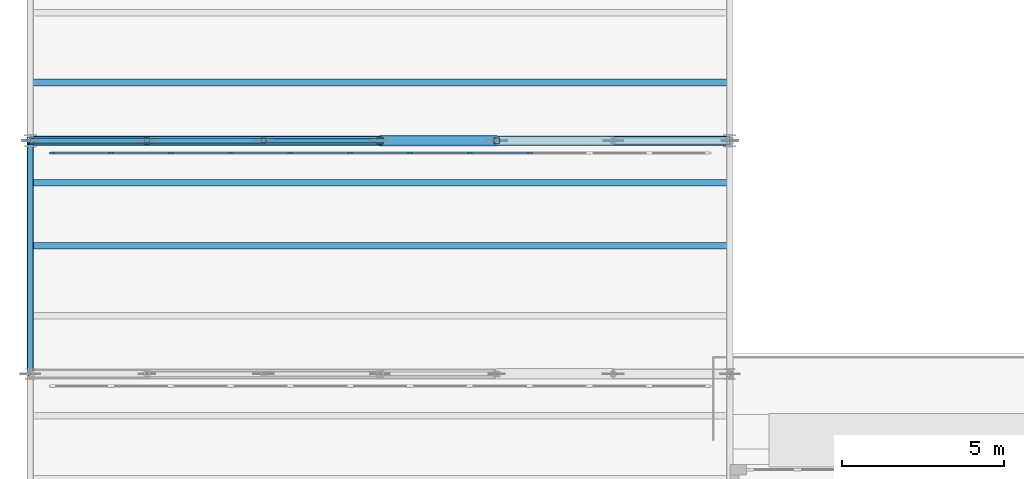
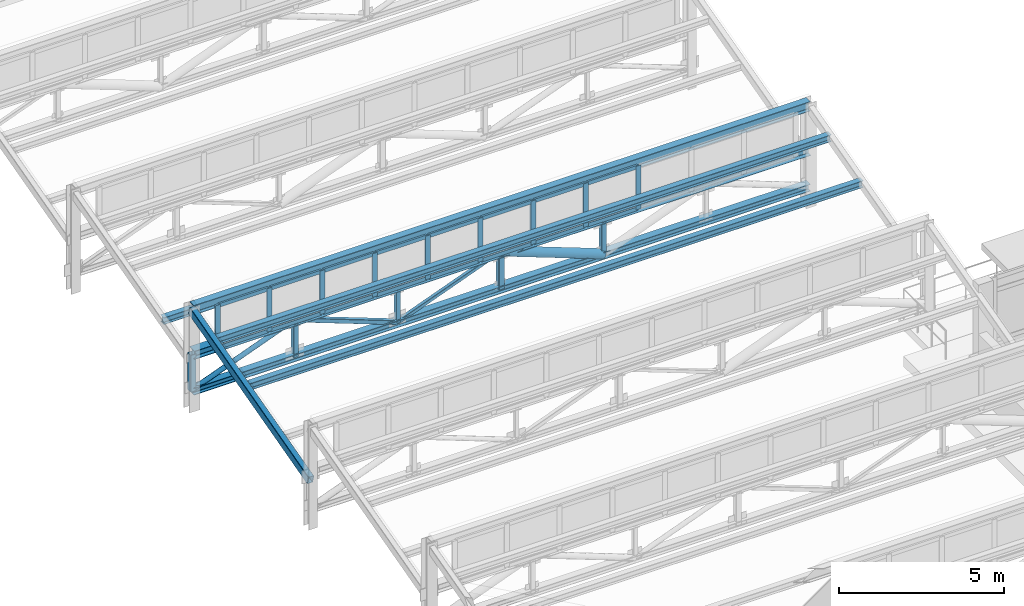
# One storey, part 9 of 55: 36 members, 5 beams, 1 element without a shape of its own.
"""IFC4 building model written with IfcOpenShell, lengths in metres."""

from ifc_helpers import new_model, si_unit, direction, frame, origin, origin_2d, place, context, subcontext, project, spatial, rectangle, hollow_rectangle, hollow_circle, i_section, extrude, material, layer, layer_set, material_profile, profile_set, type_object, element, aggregate, save


model = new_model("IFC4")

# Units and contexts
model_context = context("Model", 3, precision=1e-05, world=origin(), true_north=direction((0.0, 1.0)))
body_context = subcontext(model_context, "Body", "Model", "MODEL_VIEW")
ifc_project = project(units=[si_unit("LENGTHUNIT", "METRE"), si_unit("AREAUNIT", "SQUARE_METRE"), si_unit("VOLUMEUNIT", "CUBIC_METRE"), si_unit("PLANEANGLEUNIT", "RADIAN"), si_unit("MASSUNIT", "GRAM", prefix="KILO")], contexts=[model_context])

# Site, building, storey
site_placement = place(None, origin())
site = spatial("IfcSite", under=ifc_project, at=site_placement, CompositionType="ELEMENT")
building_placement = place(site_placement, origin())
building = spatial("IfcBuilding", under=site, at=building_placement, Name="Solenvale Faculty of Natural Sciences", CompositionType="ELEMENT")
storey_placement = place(building_placement, frame((0.0, 0.0, 22.5)))
storey = spatial("IfcBuildingStorey", under=building, at=storey_placement, Name="L05", CompositionType="ELEMENT", Elevation=22.5)

# Beams
ifc_material_1 = material(Name="Steel S355", Category="steel")
ifc_material_profile_1 = material_profile(ifc_material_1, i_section(OverallWidth=0.202880859375, OverallDepth=0.251953125, WebThickness=0.008056640625, FlangeThickness=0.013427734375, FilletRadius=0.012939453125, at=origin_2d()), Name="W250x58")
ifc_profile_set_1 = profile_set([ifc_material_profile_1], Name="Steel S355")
beam_type_1 = type_object("IfcBeamType", Name="BM-PRL-W250x58", PredefinedType="JOIST", material=ifc_profile_set_1)
for number, where, z_axis, x_axis, name in (
    (1, (36.0, 39.9599609375, 2.773681640625), (1.0, 0.0, 0.0), (0.0, 1.0, 0.0), "V3 Sawtooth Purlin 4.1.2"),
    (2, (36.0, 41.904052734375, 3.294921875), (1.0, 0.0, 0.0), (0.0, 1.0, 0.0), "V3 Sawtooth Purlin 4.1.3"),
    (3, (36.0, 45.0, 2.19482421875), (1.0, 0.0, 0.0), (0.0, 1.0, 0.0), "V3 Sawtooth Purlin 5.1.1"),
):
    element("IfcBeam", number, at=place(storey_placement, frame(where, z_axis=z_axis, x_axis=x_axis)), inside=storey, type_object=beam_type_1, Name=name, PredefinedType="JOIST", context=body_context, shape_type="SweptSolid", body=[
        extrude(i_section(OverallWidth=0.202880859375, OverallDepth=0.251953125, WebThickness=0.008056640625, FlangeThickness=0.013427734375, FilletRadius=0.012939453125, at=origin_2d()), origin(), (0.0, 0.0, 1.0), 21.60009765625),
    ])
ifc_material_profile_2 = material_profile(ifc_material_1, hollow_rectangle(XDim=0.202880859375, YDim=0.304931640625, WallThickness=0.0126953125, InnerFilletRadius=0.0126953125, OuterFilletRadius=0.025390625, at=origin_2d()), Name="HSS305x203x13")
ifc_profile_set_2 = profile_set([ifc_material_profile_2], Name="Steel S355")
beam_type_2 = type_object("IfcBeamType", Name="BM-RAF-HSS305", PredefinedType="BEAM", material=ifc_profile_set_2)
beam_1_placement = place(storey_placement, frame((36.0, 36.0, 1.719970703125), z_axis=(0.0, 0.965901991803, 0.258907980238), x_axis=(-1.0, 0.0, 0.0)))
element("IfcBeam", 4, at=beam_1_placement, inside=storey, type_object=beam_type_2, Name="V3 Sawtooth End Rafter 4.1.W", PredefinedType="BEAM", context=body_context, shape_type="SweptSolid", body=[
    extrude(hollow_rectangle(XDim=0.202880859375, YDim=0.304931640625, WallThickness=0.0126953125, InnerFilletRadius=0.0126953125, OuterFilletRadius=0.025390625, at=origin_2d()), origin(), (0.0, 0.0, 1.0), 7.4541015625),
])
ifc_material_profile_3 = material_profile(ifc_material_1, i_section(OverallWidth=0.2548828125, OverallDepth=0.35693359375, WebThickness=0.010498046875, FlangeThickness=0.018310546875, FilletRadius=0.014892578125, at=origin_2d()), Name="W360x101")
ifc_profile_set_3 = profile_set([ifc_material_profile_3], Name="Steel S355")
beam_type_3 = type_object("IfcBeamType", Name="BM-STL-W360x101", PredefinedType="JOIST", material=ifc_profile_set_3)
beam_2_placement = place(storey_placement, frame((36.0, 43.199951171875, 3.705078125), z_axis=(1.0, 0.0, 0.0), x_axis=(0.0, 1.0, 0.0)))
element("IfcBeam", 5, at=beam_2_placement, inside=storey, type_object=beam_type_3, Name="V3 Sawtooth Clerestory Ridge Beam 4.1", PredefinedType="JOIST", context=body_context, shape_type="SweptSolid", body=[
    extrude(i_section(OverallWidth=0.2548828125, OverallDepth=0.35693359375, WebThickness=0.010498046875, FlangeThickness=0.018310546875, FilletRadius=0.014892578125, at=origin_2d()), origin(), (0.0, 0.0, 1.0), 21.60009765625),
])

# Curtain wall, members
ifc_material_2 = material(Name="Anodised bronze aluminium", Category="aluminium")
ifc_layer = layer(ifc_material_2, 0.1650390625)
ifc_layer_set = layer_set([ifc_layer], Name="Anodised bronze aluminium")
curtain_wall_type = type_object("IfcCurtainWallType", Name="CW-SAW-CLR", PredefinedType="USERDEFINED", material=ifc_layer_set)
curtain_wall_placement = place(storey_placement, origin())
curtain_wall = element("IfcCurtainWall", 6, at=curtain_wall_placement, inside=storey, type_object=curtain_wall_type, Name="L05 Curtain Wall SAW-V3-CW-4-1", ObjectType="NORTH LIGHT CLERESTORY", PredefinedType="USERDEFINED")
ifc_material_profile_4 = material_profile(ifc_material_2, rectangle(XDim=0.06494140625, YDim=0.175048828125, at=origin_2d()), Name="ALU-MUL-65x175")
ifc_profile_set_4 = profile_set([ifc_material_profile_4], Name="Anodised bronze aluminium")
member_type_1 = type_object("IfcMemberType", Name="CWM-ALU-65x175", PredefinedType="MULLION", material=ifc_profile_set_4)
member_1_placement = place(storey_placement, frame((51.418212890625, 42.820068359375, 2.22998046875), z_axis=(0.0, 0.0, 1.0), x_axis=(0.0, -1.0, 0.0)))
member_1 = element("IfcMember", 7, at=member_1_placement, type_object=member_type_1, Name="CW-05 mullion 4", PredefinedType="MULLION", context=body_context, shape_type="SweptSolid", body=[
    extrude(rectangle(XDim=0.06494140625, YDim=0.175048828125, at=origin_2d()), origin(), (0.0, 0.0, 1.0), 1.610107421875),
])
member_2_placement = place(storey_placement, frame((49.57080078125, 42.820068359375, 2.22998046875), z_axis=(0.0, 0.0, 1.0), x_axis=(0.0, -1.0, 0.0)))
member_2 = element("IfcMember", 8, at=member_2_placement, type_object=member_type_1, Name="CW-05 mullion 5", PredefinedType="MULLION", context=body_context, shape_type="SweptSolid", body=[
    extrude(rectangle(XDim=0.06494140625, YDim=0.175048828125, at=origin_2d()), origin(), (0.0, 0.0, 1.0), 1.610107421875),
])
member_3_placement = place(storey_placement, frame((47.7236328125, 42.820068359375, 2.22998046875), z_axis=(0.0, 0.0, 1.0), x_axis=(0.0, -1.0, 0.0)))
member_3 = element("IfcMember", 9, at=member_3_placement, type_object=member_type_1, Name="CW-05 mullion 6", PredefinedType="MULLION", context=body_context, shape_type="SweptSolid", body=[
    extrude(rectangle(XDim=0.06494140625, YDim=0.175048828125, at=origin_2d()), origin(), (0.0, 0.0, 1.0), 1.610107421875),
])
member_4_placement = place(storey_placement, frame((45.87646484375, 42.820068359375, 2.22998046875), z_axis=(0.0, 0.0, 1.0), x_axis=(0.0, -1.0, 0.0)))
member_4 = element("IfcMember", 10, at=member_4_placement, type_object=member_type_1, Name="CW-05 mullion 7", PredefinedType="MULLION", context=body_context, shape_type="SweptSolid", body=[
    extrude(rectangle(XDim=0.06494140625, YDim=0.175048828125, at=origin_2d()), origin(), (0.0, 0.0, 1.0), 1.610107421875),
])
member_5_placement = place(storey_placement, frame((44.029052734375, 42.820068359375, 2.22998046875), z_axis=(0.0, 0.0, 1.0), x_axis=(0.0, -1.0, 0.0)))
member_5 = element("IfcMember", 11, at=member_5_placement, type_object=member_type_1, Name="CW-05 mullion 8", PredefinedType="MULLION", context=body_context, shape_type="SweptSolid", body=[
    extrude(rectangle(XDim=0.06494140625, YDim=0.175048828125, at=origin_2d()), origin(), (0.0, 0.0, 1.0), 1.610107421875),
])
member_6_placement = place(storey_placement, frame((42.181884765625, 42.820068359375, 2.22998046875), z_axis=(0.0, 0.0, 1.0), x_axis=(0.0, -1.0, 0.0)))
member_6 = element("IfcMember", 12, at=member_6_placement, type_object=member_type_1, Name="CW-05 mullion 9", PredefinedType="MULLION", context=body_context, shape_type="SweptSolid", body=[
    extrude(rectangle(XDim=0.06494140625, YDim=0.175048828125, at=origin_2d()), origin(), (0.0, 0.0, 1.0), 1.610107421875),
])
member_7_placement = place(storey_placement, frame((40.33447265625, 42.820068359375, 2.22998046875), z_axis=(0.0, 0.0, 1.0), x_axis=(0.0, -1.0, 0.0)))
member_7 = element("IfcMember", 13, at=member_7_placement, type_object=member_type_1, Name="CW-05 mullion 10", PredefinedType="MULLION", context=body_context, shape_type="SweptSolid", body=[
    extrude(rectangle(XDim=0.06494140625, YDim=0.175048828125, at=origin_2d()), origin(), (0.0, 0.0, 1.0), 1.610107421875),
])
member_8_placement = place(storey_placement, frame((38.4873046875, 42.820068359375, 2.22998046875), z_axis=(0.0, 0.0, 1.0), x_axis=(0.0, -1.0, 0.0)))
member_8 = element("IfcMember", 14, at=member_8_placement, type_object=member_type_1, Name="CW-05 mullion 11", PredefinedType="MULLION", context=body_context, shape_type="SweptSolid", body=[
    extrude(rectangle(XDim=0.06494140625, YDim=0.175048828125, at=origin_2d()), origin(), (0.0, 0.0, 1.0), 1.610107421875),
])
member_9_placement = place(storey_placement, frame((36.672607421875, 42.820068359375, 2.22998046875), z_axis=(0.0, 0.0, 1.0), x_axis=(0.0, -1.0, 0.0)))
member_9 = element("IfcMember", 15, at=member_9_placement, type_object=member_type_1, Name="CW-05 mullion 12", PredefinedType="MULLION", context=body_context, shape_type="SweptSolid", body=[
    extrude(rectangle(XDim=0.06494140625, YDim=0.175048828125, at=origin_2d()), origin(), (0.0, 0.0, 1.0), 1.610107421875),
])
ifc_material_profile_5 = material_profile(ifc_material_2, rectangle(XDim=0.06494140625, YDim=0.135009765625, at=origin_2d()), Name="ALU-TRN-65x135")
ifc_profile_set_5 = profile_set([ifc_material_profile_5], Name="Anodised bronze aluminium")
member_type_2 = type_object("IfcMemberType", Name="CWT-ALU-65x135", PredefinedType="USERDEFINED", material=ifc_profile_set_5)
member_10_placement = place(storey_placement, frame((51.3857421875, 42.820068359375, 2.262451171875), z_axis=(-1.0, 0.0, 0.0), x_axis=(0.0, -1.0, 0.0)))
member_10 = element("IfcMember", 16, at=member_10_placement, type_object=member_type_2, Name="CW-05 transom 4.1", ObjectType="TRANSOM", PredefinedType="USERDEFINED", context=body_context, shape_type="SweptSolid", body=[
    extrude(rectangle(XDim=0.06494140625, YDim=0.135009765625, at=origin_2d()), origin(), (0.0, 0.0, 1.0), 1.7822265625),
])
member_11_placement = place(storey_placement, frame((51.3857421875, 42.820068359375, 3.8076171875), z_axis=(-1.0, 0.0, 0.0), x_axis=(0.0, -1.0, 0.0)))
member_11 = element("IfcMember", 17, at=member_11_placement, type_object=member_type_2, Name="CW-05 transom 4.2", ObjectType="TRANSOM", PredefinedType="USERDEFINED", context=body_context, shape_type="SweptSolid", body=[
    extrude(rectangle(XDim=0.06494140625, YDim=0.135009765625, at=origin_2d()), origin(), (0.0, 0.0, 1.0), 1.7822265625),
])
member_12_placement = place(storey_placement, frame((49.538330078125, 42.820068359375, 2.262451171875), z_axis=(-1.0, 0.0, 0.0), x_axis=(0.0, -1.0, 0.0)))
member_12 = element("IfcMember", 18, at=member_12_placement, type_object=member_type_2, Name="CW-05 transom 5.1", ObjectType="TRANSOM", PredefinedType="USERDEFINED", context=body_context, shape_type="SweptSolid", body=[
    extrude(rectangle(XDim=0.06494140625, YDim=0.135009765625, at=origin_2d()), origin(), (0.0, 0.0, 1.0), 1.7822265625),
])
member_13_placement = place(storey_placement, frame((49.538330078125, 42.820068359375, 3.8076171875), z_axis=(-1.0, 0.0, 0.0), x_axis=(0.0, -1.0, 0.0)))
member_13 = element("IfcMember", 19, at=member_13_placement, type_object=member_type_2, Name="CW-05 transom 5.2", ObjectType="TRANSOM", PredefinedType="USERDEFINED", context=body_context, shape_type="SweptSolid", body=[
    extrude(rectangle(XDim=0.06494140625, YDim=0.135009765625, at=origin_2d()), origin(), (0.0, 0.0, 1.0), 1.7822265625),
])
member_14_placement = place(storey_placement, frame((47.691162109375, 42.820068359375, 2.262451171875), z_axis=(-1.0, 0.0, 0.0), x_axis=(0.0, -1.0, 0.0)))
member_14 = element("IfcMember", 20, at=member_14_placement, type_object=member_type_2, Name="CW-05 transom 6.1", ObjectType="TRANSOM", PredefinedType="USERDEFINED", context=body_context, shape_type="SweptSolid", body=[
    extrude(rectangle(XDim=0.06494140625, YDim=0.135009765625, at=origin_2d()), origin(), (0.0, 0.0, 1.0), 1.7822265625),
])
member_15_placement = place(storey_placement, frame((47.691162109375, 42.820068359375, 3.8076171875), z_axis=(-1.0, 0.0, 0.0), x_axis=(0.0, -1.0, 0.0)))
member_15 = element("IfcMember", 21, at=member_15_placement, type_object=member_type_2, Name="CW-05 transom 6.2", ObjectType="TRANSOM", PredefinedType="USERDEFINED", context=body_context, shape_type="SweptSolid", body=[
    extrude(rectangle(XDim=0.06494140625, YDim=0.135009765625, at=origin_2d()), origin(), (0.0, 0.0, 1.0), 1.7822265625),
])
member_16_placement = place(storey_placement, frame((45.84375, 42.820068359375, 2.262451171875), z_axis=(-1.0, 0.0, 0.0), x_axis=(0.0, -1.0, 0.0)))
member_16 = element("IfcMember", 22, at=member_16_placement, type_object=member_type_2, Name="CW-05 transom 7.1", ObjectType="TRANSOM", PredefinedType="USERDEFINED", context=body_context, shape_type="SweptSolid", body=[
    extrude(rectangle(XDim=0.06494140625, YDim=0.135009765625, at=origin_2d()), origin(), (0.0, 0.0, 1.0), 1.7822265625),
])
member_17_placement = place(storey_placement, frame((45.84375, 42.820068359375, 3.8076171875), z_axis=(-1.0, 0.0, 0.0), x_axis=(0.0, -1.0, 0.0)))
member_17 = element("IfcMember", 23, at=member_17_placement, type_object=member_type_2, Name="CW-05 transom 7.2", ObjectType="TRANSOM", PredefinedType="USERDEFINED", context=body_context, shape_type="SweptSolid", body=[
    extrude(rectangle(XDim=0.06494140625, YDim=0.135009765625, at=origin_2d()), origin(), (0.0, 0.0, 1.0), 1.7822265625),
])
member_18_placement = place(storey_placement, frame((43.99658203125, 42.820068359375, 2.262451171875), z_axis=(-1.0, 0.0, 0.0), x_axis=(0.0, -1.0, 0.0)))
member_18 = element("IfcMember", 24, at=member_18_placement, type_object=member_type_2, Name="CW-05 transom 8.1", ObjectType="TRANSOM", PredefinedType="USERDEFINED", context=body_context, shape_type="SweptSolid", body=[
    extrude(rectangle(XDim=0.06494140625, YDim=0.135009765625, at=origin_2d()), origin(), (0.0, 0.0, 1.0), 1.7822265625),
])
member_19_placement = place(storey_placement, frame((43.99658203125, 42.820068359375, 3.8076171875), z_axis=(-1.0, 0.0, 0.0), x_axis=(0.0, -1.0, 0.0)))
member_19 = element("IfcMember", 25, at=member_19_placement, type_object=member_type_2, Name="CW-05 transom 8.2", ObjectType="TRANSOM", PredefinedType="USERDEFINED", context=body_context, shape_type="SweptSolid", body=[
    extrude(rectangle(XDim=0.06494140625, YDim=0.135009765625, at=origin_2d()), origin(), (0.0, 0.0, 1.0), 1.7822265625),
])
member_20_placement = place(storey_placement, frame((42.1494140625, 42.820068359375, 2.262451171875), z_axis=(-1.0, 0.0, 0.0), x_axis=(0.0, -1.0, 0.0)))
member_20 = element("IfcMember", 26, at=member_20_placement, type_object=member_type_2, Name="CW-05 transom 9.1", ObjectType="TRANSOM", PredefinedType="USERDEFINED", context=body_context, shape_type="SweptSolid", body=[
    extrude(rectangle(XDim=0.06494140625, YDim=0.135009765625, at=origin_2d()), origin(), (0.0, 0.0, 1.0), 1.782470703125),
])
member_21_placement = place(storey_placement, frame((42.1494140625, 42.820068359375, 3.8076171875), z_axis=(-1.0, 0.0, 0.0), x_axis=(0.0, -1.0, 0.0)))
member_21 = element("IfcMember", 27, at=member_21_placement, type_object=member_type_2, Name="CW-05 transom 9.2", ObjectType="TRANSOM", PredefinedType="USERDEFINED", context=body_context, shape_type="SweptSolid", body=[
    extrude(rectangle(XDim=0.06494140625, YDim=0.135009765625, at=origin_2d()), origin(), (0.0, 0.0, 1.0), 1.782470703125),
])
member_22_placement = place(storey_placement, frame((40.302001953125, 42.820068359375, 2.262451171875), z_axis=(-1.0, 0.0, 0.0), x_axis=(0.0, -1.0, 0.0)))
member_22 = element("IfcMember", 28, at=member_22_placement, type_object=member_type_2, Name="CW-05 transom 10.1", ObjectType="TRANSOM", PredefinedType="USERDEFINED", context=body_context, shape_type="SweptSolid", body=[
    extrude(rectangle(XDim=0.06494140625, YDim=0.135009765625, at=origin_2d()), origin(), (0.0, 0.0, 1.0), 1.7822265625),
])
member_23_placement = place(storey_placement, frame((40.302001953125, 42.820068359375, 3.8076171875), z_axis=(-1.0, 0.0, 0.0), x_axis=(0.0, -1.0, 0.0)))
member_23 = element("IfcMember", 29, at=member_23_placement, type_object=member_type_2, Name="CW-05 transom 10.2", ObjectType="TRANSOM", PredefinedType="USERDEFINED", context=body_context, shape_type="SweptSolid", body=[
    extrude(rectangle(XDim=0.06494140625, YDim=0.135009765625, at=origin_2d()), origin(), (0.0, 0.0, 1.0), 1.7822265625),
])
member_24_placement = place(storey_placement, frame((38.454833984375, 42.820068359375, 2.262451171875), z_axis=(-1.0, 0.0, 0.0), x_axis=(0.0, -1.0, 0.0)))
member_24 = element("IfcMember", 30, at=member_24_placement, type_object=member_type_2, Name="CW-05 transom 11.1", ObjectType="TRANSOM", PredefinedType="USERDEFINED", context=body_context, shape_type="SweptSolid", body=[
    extrude(rectangle(XDim=0.06494140625, YDim=0.135009765625, at=origin_2d()), origin(), (0.0, 0.0, 1.0), 1.749755859375),
])
member_25_placement = place(storey_placement, frame((38.454833984375, 42.820068359375, 3.8076171875), z_axis=(-1.0, 0.0, 0.0), x_axis=(0.0, -1.0, 0.0)))
member_25 = element("IfcMember", 31, at=member_25_placement, type_object=member_type_2, Name="CW-05 transom 11.2", ObjectType="TRANSOM", PredefinedType="USERDEFINED", context=body_context, shape_type="SweptSolid", body=[
    extrude(rectangle(XDim=0.06494140625, YDim=0.135009765625, at=origin_2d()), origin(), (0.0, 0.0, 1.0), 1.749755859375),
])
aggregate(curtain_wall, [member_1, member_2, member_3, member_4, member_5, member_6, member_7, member_8, member_9, member_10, member_11, member_12, member_13, member_14, member_15, member_16, member_17, member_18, member_19, member_20, member_21, member_22, member_23, member_24, member_25])

# Members
ifc_material_profile_6 = material_profile(ifc_material_1, hollow_circle(Radius=0.084228515625, WallThickness=0.008056640625, at=origin_2d()), Name="HSS168x8.0")
ifc_profile_set_6 = profile_set([ifc_material_profile_6], Name="Steel S355")
member_type_3 = type_object("IfcMemberType", Name="MB-BRC-CHS168", PredefinedType="BRACE", material=ifc_profile_set_6)
member_26_placement = place(storey_placement, frame((36.0, 43.199951171875, 0.68994140625), z_axis=(0.935466034784, 0.0, 0.353416606522), x_axis=(0.0, 1.0, 0.0)))
element("IfcMember", 32, at=member_26_placement, inside=storey, type_object=member_type_3, Name="V3 Truss 4.1 Diagonal 1", PredefinedType="BRACE", context=body_context, shape_type="SweptSolid", body=[
    extrude(hollow_circle(Radius=0.084228515625, WallThickness=0.008056640625, at=origin_2d()), origin(), (0.0, 0.0, 1.0), 3.848388671875),
])
ifc_material_profile_7 = material_profile(ifc_material_1, hollow_circle(Radius=0.161865234375, WallThickness=0.0126953125, at=origin_2d()), Name="HSS324x13")
ifc_profile_set_7 = profile_set([ifc_material_profile_7], Name="Steel S355")
member_type_4 = type_object("IfcMemberType", Name="MB-BRC-CHS324", PredefinedType="BRACE", material=ifc_profile_set_7)
member_27_placement = place(storey_placement, frame((46.800048828125, 43.199951171875, 2.050048828125), z_axis=(0.935458110384, 0.0, -0.353437581075), x_axis=(0.0, 1.0, 0.0)))
element("IfcMember", 33, at=member_27_placement, inside=storey, type_object=member_type_4, Name="V3 Truss 4.1 Diagonal 4", PredefinedType="BRACE", context=body_context, shape_type="SweptSolid", body=[
    extrude(hollow_circle(Radius=0.161865234375, WallThickness=0.0126953125, at=origin_2d()), origin(), (0.0, 0.0, 1.0), 3.84814453125),
])
ifc_material_profile_8 = material_profile(ifc_material_1, hollow_rectangle(XDim=0.126953125, YDim=0.126953125, WallThickness=0.008056640625, InnerFilletRadius=0.008056640625, OuterFilletRadius=0.01611328125, at=origin_2d()), Name="HSS127x127x8.0")
ifc_profile_set_8 = profile_set([ifc_material_profile_8], Name="Steel S355")
member_type_5 = type_object("IfcMemberType", Name="MB-BRC-HSS127", PredefinedType="BRACE", material=ifc_profile_set_8)
member_28_placement = place(storey_placement, frame((43.199951171875, 43.199951171875, 0.68994140625), z_axis=(0.935466034784, 0.0, 0.353416606522), x_axis=(0.0, 1.0, 0.0)))
element("IfcMember", 34, at=member_28_placement, inside=storey, type_object=member_type_5, Name="V3 Truss 4.1 Diagonal 3", PredefinedType="BRACE", context=body_context, shape_type="SweptSolid", body=[
    extrude(hollow_rectangle(XDim=0.126953125, YDim=0.126953125, WallThickness=0.008056640625, InnerFilletRadius=0.008056640625, OuterFilletRadius=0.01611328125, at=origin_2d()), origin(), (0.0, 0.0, 1.0), 3.848388671875),
])
ifc_material_profile_9 = material_profile(ifc_material_1, hollow_rectangle(XDim=0.152099609375, YDim=0.152099609375, WallThickness=0.009521484375, InnerFilletRadius=0.009521484375, OuterFilletRadius=0.01904296875, at=origin_2d()), Name="HSS152x152x9.5")
ifc_profile_set_9 = profile_set([ifc_material_profile_9], Name="Steel S355")
member_type_6 = type_object("IfcMemberType", Name="MB-BRC-HSS152", PredefinedType="BRACE", material=ifc_profile_set_9)
member_29_placement = place(storey_placement, frame((39.60009765625, 43.199951171875, 2.050048828125), z_axis=(0.935458110384, 0.0, -0.353437581075), x_axis=(0.0, 1.0, 0.0)))
element("IfcMember", 35, at=member_29_placement, inside=storey, type_object=member_type_6, Name="V3 Truss 4.1 Diagonal 2", PredefinedType="BRACE", context=body_context, shape_type="SweptSolid", body=[
    extrude(hollow_rectangle(XDim=0.152099609375, YDim=0.152099609375, WallThickness=0.009521484375, InnerFilletRadius=0.009521484375, OuterFilletRadius=0.01904296875, at=origin_2d()), origin(), (0.0, 0.0, 1.0), 3.84814453125),
])
ifc_material_profile_10 = material_profile(ifc_material_1, i_section(OverallWidth=0.256103515625, OverallDepth=0.260009765625, WebThickness=0.0107421875, FlangeThickness=0.017333984375, FilletRadius=0.012939453125, at=origin_2d()), Name="W250x89")
ifc_profile_set_10 = profile_set([ifc_material_profile_10], Name="Steel S355")
member_type_7 = type_object("IfcMemberType", Name="MB-CHD-W250x89", PredefinedType="CHORD", material=ifc_profile_set_10)
member_30_placement = place(storey_placement, frame((36.0, 43.199951171875, 0.68994140625), z_axis=(1.0, 0.0, 0.0), x_axis=(0.0, 1.0, 0.0)))
element("IfcMember", 36, at=member_30_placement, inside=storey, type_object=member_type_7, Name="V3 Truss 4.1 Bottom Chord", PredefinedType="CHORD", context=body_context, shape_type="SweptSolid", body=[
    extrude(i_section(OverallWidth=0.256103515625, OverallDepth=0.260009765625, WebThickness=0.0107421875, FlangeThickness=0.017333984375, FilletRadius=0.012939453125, at=origin_2d()), origin(), (0.0, 0.0, 1.0), 21.60009765625),
])
ifc_material_profile_11 = material_profile(ifc_material_1, i_section(OverallWidth=0.304931640625, OverallDepth=0.30810546875, WebThickness=0.010009765625, FlangeThickness=0.015380859375, FilletRadius=0.014892578125, at=origin_2d()), Name="W310x97")
ifc_profile_set_11 = profile_set([ifc_material_profile_11], Name="Steel S355")
member_type_8 = type_object("IfcMemberType", Name="MB-CHD-W310x97", PredefinedType="CHORD", material=ifc_profile_set_11)
member_31_placement = place(storey_placement, frame((36.0, 43.199951171875, 2.050048828125), z_axis=(1.0, 0.0, 0.0), x_axis=(0.0, 1.0, 0.0)))
element("IfcMember", 37, at=member_31_placement, inside=storey, type_object=member_type_8, Name="V3 Truss 4.1 Top Chord", PredefinedType="CHORD", context=body_context, shape_type="SweptSolid", body=[
    extrude(i_section(OverallWidth=0.304931640625, OverallDepth=0.30810546875, WebThickness=0.010009765625, FlangeThickness=0.015380859375, FilletRadius=0.014892578125, at=origin_2d()), origin(), (0.0, 0.0, 1.0), 21.60009765625),
])
ifc_material_profile_12 = material_profile(ifc_material_1, hollow_rectangle(XDim=0.152099609375, YDim=0.152099609375, WallThickness=0.009521484375, InnerFilletRadius=0.009521484375, OuterFilletRadius=0.01904296875, at=origin_2d()), Name="HSS152x152x9.5")
ifc_profile_set_12 = profile_set([ifc_material_profile_12], Name="Steel S355")
member_type_9 = type_object("IfcMemberType", Name="MB-STR-HSS152", PredefinedType="STRUT", material=ifc_profile_set_12)
member_32_placement = place(storey_placement, frame((43.199951171875, 43.199951171875, 0.68994140625), z_axis=(0.0, 0.0, 1.0), x_axis=(1.0, 0.0, 0.0)))
element("IfcMember", 38, at=member_32_placement, inside=storey, type_object=member_type_9, Name="V3 Truss 4.1 Strut 2", PredefinedType="STRUT", context=body_context, shape_type="SweptSolid", body=[
    extrude(hollow_rectangle(XDim=0.152099609375, YDim=0.152099609375, WallThickness=0.009521484375, InnerFilletRadius=0.009521484375, OuterFilletRadius=0.01904296875, at=origin_2d()), origin(), (0.0, 0.0, 1.0), 1.360107421875),
])
ifc_material_profile_13 = material_profile(ifc_material_1, hollow_rectangle(XDim=0.177978515625, YDim=0.177978515625, WallThickness=0.009521484375, InnerFilletRadius=0.009521484375, OuterFilletRadius=0.01904296875, at=origin_2d()), Name="HSS178x178x9.5")
ifc_profile_set_13 = profile_set([ifc_material_profile_13], Name="Steel S355")
member_type_10 = type_object("IfcMemberType", Name="MB-STR-HSS178", PredefinedType="STRUT", material=ifc_profile_set_13)
for number, where, z_axis, x_axis, name in (
    (39, (39.60009765625, 43.199951171875, 0.68994140625), (0.0, 0.0, 1.0), (1.0, 0.0, 0.0), "V3 Truss 4.1 Strut 1"),
    (40, (50.39990234375, 43.199951171875, 0.68994140625), (0.0, 0.0, 1.0), (1.0, 0.0, 0.0), "V3 Truss 4.1 Strut 4"),
):
    element("IfcMember", number, at=place(storey_placement, frame(where, z_axis=z_axis, x_axis=x_axis)), inside=storey, type_object=member_type_10, Name=name, PredefinedType="STRUT", context=body_context, shape_type="SweptSolid", body=[
        extrude(hollow_rectangle(XDim=0.177978515625, YDim=0.177978515625, WallThickness=0.009521484375, InnerFilletRadius=0.009521484375, OuterFilletRadius=0.01904296875, at=origin_2d()), origin(), (0.0, 0.0, 1.0), 1.360107421875),
    ])
ifc_material_profile_14 = material_profile(ifc_material_1, hollow_rectangle(XDim=0.202880859375, YDim=0.202880859375, WallThickness=0.0126953125, InnerFilletRadius=0.0126953125, OuterFilletRadius=0.025390625, at=origin_2d()), Name="HSS203x203x13")
ifc_profile_set_14 = profile_set([ifc_material_profile_14], Name="Steel S355")
member_type_11 = type_object("IfcMemberType", Name="MB-STR-HSS203", PredefinedType="STRUT", material=ifc_profile_set_14)
for number, where, z_axis, x_axis, name in (
    (41, (36.0, 43.199951171875, 0.68994140625), (0.0, 0.0, 1.0), (1.0, 0.0, 0.0), "V3 Truss 4.1 Strut 0"),
    (42, (46.800048828125, 43.199951171875, 0.68994140625), (0.0, 0.0, 1.0), (1.0, 0.0, 0.0), "V3 Truss 4.1 Strut 3"),
):
    element("IfcMember", number, at=place(storey_placement, frame(where, z_axis=z_axis, x_axis=x_axis)), inside=storey, type_object=member_type_11, Name=name, PredefinedType="STRUT", context=body_context, shape_type="SweptSolid", body=[
        extrude(hollow_rectangle(XDim=0.202880859375, YDim=0.202880859375, WallThickness=0.0126953125, InnerFilletRadius=0.0126953125, OuterFilletRadius=0.025390625, at=origin_2d()), origin(), (0.0, 0.0, 1.0), 1.360107421875),
    ])

save(model, "model.ifc")
